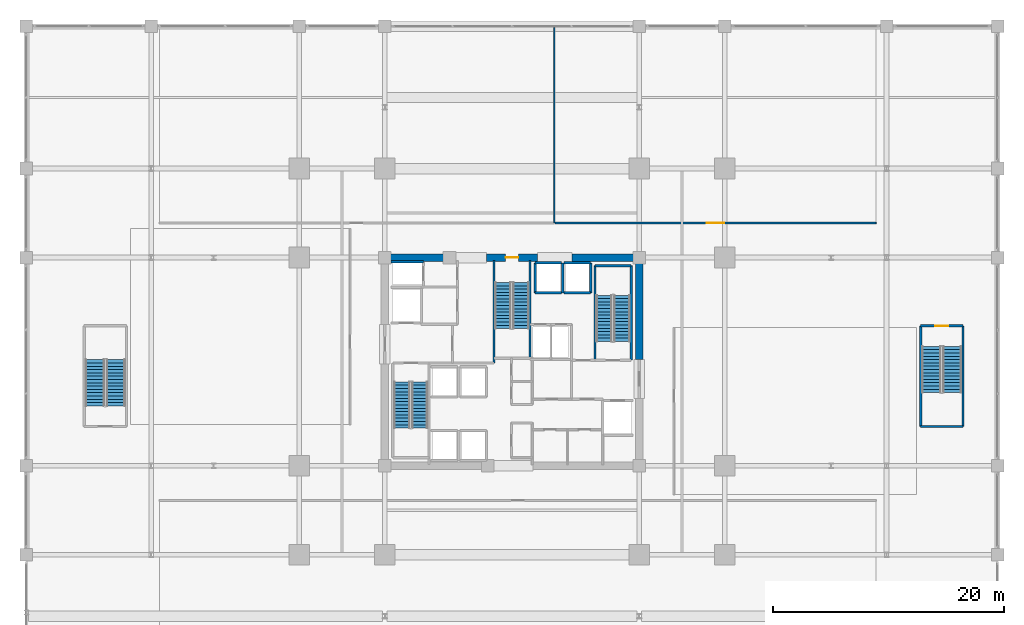
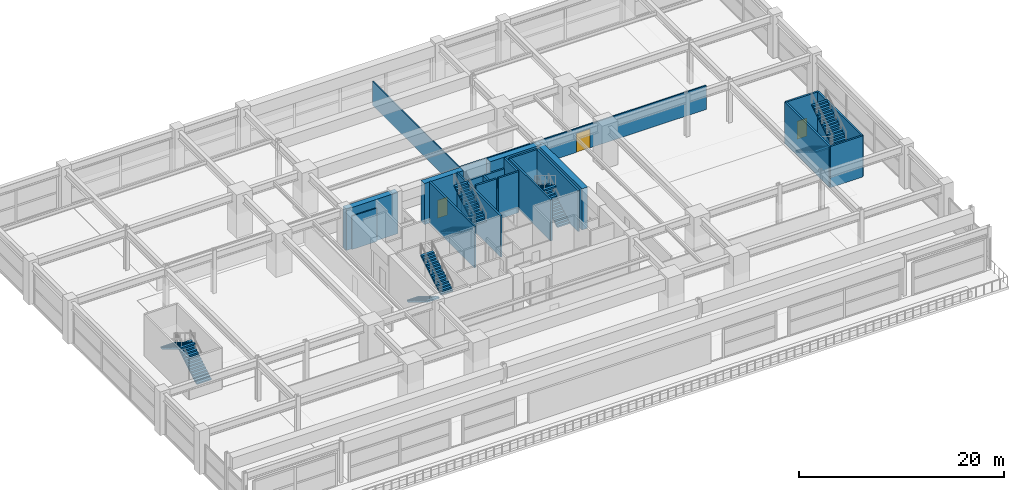
# One storey, part 38 of 45: 23 walls, 10 stair flights, 3 doors, 3 openings, 5 elements without a shape of their own.
"""IFC4 building model written with IfcOpenShell, lengths in metres."""

from ifc_helpers import new_model, si_unit, direction, frame, frame_2d, origin, place, context, subcontext, project, spatial, polyline, rectangle, outline, extrude, material, layer, layer_set, type_object, element, fill, aggregate, save


model = new_model("IFC4")

# Units and contexts
model_context = context("Model", 3, precision=1e-05, world=origin(), true_north=direction((0.0, 1.0)))
body_context = subcontext(model_context, "Body", "Model", "MODEL_VIEW")
ifc_project = project(units=[si_unit("LENGTHUNIT", "METRE"), si_unit("AREAUNIT", "SQUARE_METRE"), si_unit("VOLUMEUNIT", "CUBIC_METRE"), si_unit("PLANEANGLEUNIT", "RADIAN"), si_unit("MASSUNIT", "GRAM", prefix="KILO")], contexts=[model_context])

# Site, building, storey
site_placement = place(None, origin())
site = spatial("IfcSite", under=ifc_project, at=site_placement, CompositionType="ELEMENT")
building_placement = place(site_placement, origin())
building = spatial("IfcBuilding", under=site, at=building_placement, Name="Kovane Verandah Tower", CompositionType="ELEMENT")
storey_placement = place(building_placement, frame((0.0, 0.0, 6.0)))
storey = spatial("IfcBuildingStorey", under=building, at=storey_placement, Name="L01", CompositionType="ELEMENT", Elevation=6.0)

# Wall, opening, door
ifc_material_1 = material(Name="Fire-Rated Gypsum Stud Partition", Category="gypsum")
ifc_layer_1 = layer(ifc_material_1, 0.14990234375)
ifc_layer_set_1 = layer_set([ifc_layer_1], Name="Fire-Rated Gypsum Stud Partition")
wall_type_1 = type_object("IfcWallType", Name="WL-COR-150", PredefinedType="PARTITIONING", material=ifc_layer_set_1)
wall_1_placement = place(storey_placement, frame((43.719970703125, 39.5, 0.0), z_axis=(0.0, 0.0, 1.0), x_axis=(1.0, 0.0, 0.0)))
wall_1 = element("IfcWall", 1, at=wall_1_placement, inside=storey, type_object=wall_type_1, Name="L01 Executive Seminar Auditorium Corridor Partition", PredefinedType="PARTITIONING", context=body_context, shape_type="SweptSolid", body=[
    extrude(rectangle(XDim=27.780029296875, YDim=0.14990234375, at=frame_2d((13.89013671875, 0.0))), origin(), (0.0, 0.0, 1.0), 2.85009765625),
])
opening_1_placement = place(wall_1_placement, frame((13.139892578125, 0.0, 0.0)))
opening_1 = element("IfcOpeningElement", 2, at=opening_1_placement, cuts=wall_1, Name="Opening DR-L01-021", PredefinedType="OPENING", context=body_context, shape_type="SweptSolid", body=[
    extrude(rectangle(XDim=1.5, YDim=2.25, at=frame_2d((0.75, 1.125))), frame((0.0, 0.074951171875, 0.0), z_axis=(0.0, -1.0, 0.0), x_axis=(1.0, 0.0, 0.0)), (0.0, 0.0, 1.0), 0.14990234375),
])
ifc_material_2 = material(Name="Glazed Timber Fire-Rated Double Door", Category="wood")
door_type_1 = type_object("IfcDoorType", Name="DR-CONF-1500", OperationType="DOUBLE_DOOR_SINGLE_SWING", PredefinedType="DOOR", material=ifc_material_2)
door_1_placement = place(opening_1_placement, origin())
door_1 = element("IfcDoor", 3, at=door_1_placement, inside=storey, type_object=door_type_1, Name="L01 Executive Seminar Auditorium Entrance Door", OperationType="DOUBLE_DOOR_SINGLE_SWING", OverallHeight=2.25, OverallWidth=1.5, PredefinedType="DOOR", context=body_context, shape_type="SweptSolid", body=[
    extrude(rectangle(XDim=1.5, YDim=2.25, at=frame_2d((0.75, 1.125))), frame((0.0, 0.02490234375, 0.0), z_axis=(0.0, -1.0, 0.0), x_axis=(1.0, 0.0, 0.0)), (0.0, 0.0, 1.0), 0.050048828125),
])
fill(opening_1, door_1)

# Wall
ifc_material_3 = material(Name="Concrete C80/95", Category="concrete")
ifc_layer_2 = layer(ifc_material_3, 0.64990234375)
ifc_layer_set_2 = layer_set([ifc_layer_2], Name="Concrete C80/95")
wall_type_2 = type_object("IfcWallType", Name="WL-CORE-650", PredefinedType="SHEAR", material=ifc_layer_set_2)
wall_2_placement = place(storey_placement, frame((29.0, 36.5, 0.0), z_axis=(0.0, 0.0, 1.0), x_axis=(1.0, 0.0, 0.0)))
element("IfcWall", 4, at=wall_2_placement, inside=storey, type_object=wall_type_2, Name="L01 Core Shear Wall CN-1", PredefinedType="SHEAR", context=body_context, shape_type="SweptSolid", body=[
    extrude(rectangle(XDim=5.800048828125, YDim=0.64990234375, at=frame_2d((2.89990234375, 0.0))), origin(), (0.0, 0.0, 1.0), 4.919921875),
])

# Wall, opening, door
wall_3_placement = place(storey_placement, frame((37.800048828125, 36.5, 0.0), z_axis=(0.0, 0.0, 1.0), x_axis=(1.0, 0.0, 0.0)))
wall_3 = element("IfcWall", 5, at=wall_3_placement, inside=storey, type_object=wall_type_2, Name="L01 Core Shear Wall CN-2", PredefinedType="SHEAR", context=body_context, shape_type="SweptSolid", body=[
    extrude(rectangle(XDim=4.39990234375, YDim=0.64990234375, at=frame_2d((2.199951171875, 0.0))), origin(), (0.0, 0.0, 1.0), 4.919921875),
])
opening_2_placement = place(wall_3_placement, frame((1.64990234375, 0.0, 0.0)))
opening_2 = element("IfcOpeningElement", 6, at=opening_2_placement, cuts=wall_3, Name="Opening DR-L01-009", PredefinedType="OPENING", context=body_context, shape_type="SweptSolid", body=[
    extrude(rectangle(XDim=1.10009765625, YDim=2.14990234375, at=frame_2d((0.550048828125, 1.074951171875))), frame((0.0, 0.324951171875, 0.0), z_axis=(0.0, -1.0, 0.0), x_axis=(1.0, 0.0, 0.0)), (0.0, 0.0, 1.0), 0.64990234375),
])
ifc_material_4 = material(Name="Fire-Rated Steel Exit Door", Category="steel")
door_type_2 = type_object("IfcDoorType", Name="DR-STAIR-1100", OperationType="SINGLE_SWING_LEFT", PredefinedType="DOOR", material=ifc_material_4)
door_2_placement = place(opening_2_placement, origin())
door_2 = element("IfcDoor", 7, at=door_2_placement, inside=storey, type_object=door_type_2, Name="L01 ST-03 Fire Exit Stair Door", OperationType="SINGLE_SWING_RIGHT", OverallHeight=2.14990234375, OverallWidth=1.10009765625, PredefinedType="DOOR", context=body_context, shape_type="SweptSolid", body=[
    extrude(rectangle(XDim=1.10009765625, YDim=2.14990234375, at=frame_2d((0.550048828125, 1.074951171875))), frame((0.0, 0.02490234375, 0.0), z_axis=(0.0, -1.0, 0.0), x_axis=(1.0, 0.0, 0.0)), (0.0, 0.0, 1.0), 0.050048828125),
])
fill(opening_2, door_2)

# Walls
wall_4_placement = place(storey_placement, frame((45.199951171875, 36.5, 0.0), z_axis=(0.0, 0.0, 1.0), x_axis=(1.0, 0.0, 0.0)))
element("IfcWall", 8, at=wall_4_placement, inside=storey, type_object=wall_type_2, Name="L01 Core Shear Wall CN-3", PredefinedType="SHEAR", context=body_context, shape_type="SweptSolid", body=[
    extrude(rectangle(XDim=5.800048828125, YDim=0.64990234375, at=frame_2d((2.89990234375, 0.0))), origin(), (0.0, 0.0, 1.0), 4.919921875),
])
wall_5_placement = place(storey_placement, frame((51.0, 27.699951171875, 0.0), z_axis=(0.0, 0.0, 1.0), x_axis=(0.0, 1.0, 0.0)))
element("IfcWall", 9, at=wall_5_placement, inside=storey, type_object=wall_type_2, Name="L01 Core Shear Wall CE-2", PredefinedType="SHEAR", context=body_context, shape_type="SweptSolid", body=[
    extrude(rectangle(XDim=8.800048828125, YDim=0.64990234375, at=frame_2d((4.39990234375, 0.0))), origin(), (0.0, 0.0, 1.0), 4.919921875),
])
ifc_material_5 = material(Name="Concrete C45/55 Lift Shaft Wall", Category="concrete")
ifc_layer_3 = layer(ifc_material_5, 0.199951171875)
ifc_layer_set_3 = layer_set([ifc_layer_3], Name="Concrete C45/55 Lift Shaft Wall")
wall_type_3 = type_object("IfcWallType", Name="WL-LIFT-200", PredefinedType="SOLIDWALL", material=ifc_layer_set_3)
wall_6_placement = place(storey_placement, frame((32.35009765625, 36.14990234375, 0.0), z_axis=(0.0, 0.0, 1.0), x_axis=(-1.0, 0.0, 0.0)))
element("IfcWall", 10, at=wall_6_placement, inside=storey, type_object=wall_type_3, Name="L01 Lift GL-01 N Shaft Wall", PredefinedType="SOLIDWALL", context=body_context, shape_type="SweptSolid", body=[
    extrude(rectangle(XDim=2.800048828125, YDim=0.199951171875, at=frame_2d((1.39990234375, 0.0))), origin(), (0.0, 0.0, 1.0), 3.97900390625),
])
wall_7_placement = place(storey_placement, frame((42.0, 33.449951171875, 0.0), z_axis=(0.0, 0.0, 1.0), x_axis=(1.0, 0.0, 0.0)))
element("IfcWall", 11, at=wall_7_placement, inside=storey, type_object=wall_type_3, Name="L01 Lift SL-01 S Shaft Wall", PredefinedType="SOLIDWALL", context=body_context, shape_type="SweptSolid", body=[
    extrude(rectangle(XDim=2.300048828125, YDim=0.199951171875, at=frame_2d((1.14990234375, 0.0))), origin(), (0.0, 0.0, 1.0), 4.919921875),
])
wall_8_placement = place(storey_placement, frame((44.300048828125, 36.050048828125, 0.0), z_axis=(0.0, 0.0, 1.0), x_axis=(-1.0, 0.0, 0.0)))
element("IfcWall", 12, at=wall_8_placement, inside=storey, type_object=wall_type_3, Name="L01 Lift SL-01 N Shaft Wall", PredefinedType="SOLIDWALL", context=body_context, shape_type="SweptSolid", body=[
    extrude(rectangle(XDim=2.300048828125, YDim=0.199951171875, at=frame_2d((1.14990234375, 0.0))), origin(), (0.0, 0.0, 1.0), 3.699951171875),
])
for number, where, z_axis, x_axis, name in (
    (13, (42.0, 36.050048828125, 0.0), (0.0, 0.0, 1.0), (0.0, -1.0, 0.0), "L01 Lift SL-01 W Shaft Wall"),
    (14, (44.39990234375, 33.449951171875, 0.0), (0.0, 0.0, 1.0), (0.0, 1.0, 0.0), "L01 Lift OL-01 and SL-01 Shared Shaft Wall"),
):
    element("IfcWall", number, at=place(storey_placement, frame(where, z_axis=z_axis, x_axis=x_axis)), inside=storey, type_object=wall_type_3, Name=name, PredefinedType="SOLIDWALL", context=body_context, shape_type="SweptSolid", body=[
        extrude(rectangle(XDim=2.60009765625, YDim=0.199951171875, at=frame_2d((1.300048828125, 0.0))), origin(), (0.0, 0.0, 1.0), 3.699951171875),
    ])
wall_9_placement = place(storey_placement, frame((44.5, 33.449951171875, 0.0), z_axis=(0.0, 0.0, 1.0), x_axis=(1.0, 0.0, 0.0)))
element("IfcWall", 15, at=wall_9_placement, inside=storey, type_object=wall_type_3, Name="L01 Lift OL-01 S Shaft Wall", PredefinedType="SOLIDWALL", context=body_context, shape_type="SweptSolid", body=[
    extrude(rectangle(XDim=2.300048828125, YDim=0.199951171875, at=frame_2d((1.14990234375, 0.0))), origin(), (0.0, 0.0, 1.0), 4.919921875),
])
wall_10_placement = place(storey_placement, frame((46.800048828125, 36.050048828125, 0.0), z_axis=(0.0, 0.0, 1.0), x_axis=(-1.0, 0.0, 0.0)))
element("IfcWall", 16, at=wall_10_placement, inside=storey, type_object=wall_type_3, Name="L01 Lift OL-01 N Shaft Wall", PredefinedType="SOLIDWALL", context=body_context, shape_type="SweptSolid", body=[
    extrude(rectangle(XDim=2.300048828125, YDim=0.199951171875, at=frame_2d((1.14990234375, 0.0))), origin(), (0.0, 0.0, 1.0), 3.699951171875),
])
wall_11_placement = place(storey_placement, frame((46.800048828125, 33.449951171875, 0.0), z_axis=(0.0, 0.0, 1.0), x_axis=(0.0, 1.0, 0.0)))
element("IfcWall", 17, at=wall_11_placement, inside=storey, type_object=wall_type_3, Name="L01 Lift OL-01 E Shaft Wall", PredefinedType="SOLIDWALL", context=body_context, shape_type="SweptSolid", body=[
    extrude(rectangle(XDim=2.60009765625, YDim=0.199951171875, at=frame_2d((1.300048828125, 0.0))), origin(), (0.0, 0.0, 1.0), 4.919921875),
])
ifc_material_6 = material(Name="Acoustic Fire-Rated Gypsum Partition", Category="gypsum")
ifc_layer_4 = layer(ifc_material_6, 0.1201171875)
ifc_layer_set_4 = layer_set([ifc_layer_4], Name="Acoustic Fire-Rated Gypsum Partition")
wall_type_4 = type_object("IfcWallType", Name="WL-PART-120", PredefinedType="PARTITIONING", material=ifc_layer_set_4)
wall_12_placement = place(storey_placement, frame((43.64990234375, 39.5, 0.0), z_axis=(0.0, 0.0, 1.0), x_axis=(0.0, 1.0, 0.0)))
element("IfcWall", 18, at=wall_12_placement, inside=storey, type_object=wall_type_4, Name="L01 North Banking Hall Dividing Partition", PredefinedType="PARTITIONING", context=body_context, shape_type="SweptSolid", body=[
    extrude(rectangle(XDim=16.89990234375, YDim=0.1201171875, at=frame_2d((8.449951171875, 0.0))), origin(), (0.0, 0.0, 1.0), 2.85009765625),
])
ifc_material_7 = material(Name="Concrete C45/55", Category="concrete")
ifc_layer_5 = layer(ifc_material_7, 0.199951171875)
ifc_layer_set_5 = layer_set([ifc_layer_5], Name="Concrete C45/55")
wall_type_5 = type_object("IfcWallType", Name="WL-SHAFT-200", PredefinedType="SOLIDWALL", material=ifc_layer_set_5)
wall_13_placement = place(storey_placement, frame((50.300048828125, 27.64990234375, 0.0), z_axis=(0.0, 0.0, 1.0), x_axis=(0.0, 1.0, 0.0)))
element("IfcWall", 19, at=wall_13_placement, inside=storey, type_object=wall_type_5, Name="W-L01-ST02-E", PredefinedType="SOLIDWALL", context=body_context, shape_type="SweptSolid", body=[
    extrude(rectangle(XDim=8.150146484375, YDim=0.199951171875, at=frame_2d((4.0751953125, 0.0))), origin(), (0.0, 0.0, 1.0), 4.919921875),
])
wall_14_placement = place(storey_placement, frame((47.179931640625, 35.800048828125, 0.0), z_axis=(0.0, 0.0, 1.0), x_axis=(1.0, 0.0, 0.0)))
element("IfcWall", 20, at=wall_14_placement, inside=storey, type_object=wall_type_5, Name="W-L01-ST02-N", PredefinedType="SOLIDWALL", context=body_context, shape_type="SweptSolid", body=[
    extrude(rectangle(XDim=3.1201171875, YDim=0.199951171875, at=frame_2d((1.56005859375, 0.0))), origin(), (0.0, 0.0, 1.0), 4.919921875),
])
wall_15_placement = place(storey_placement, frame((47.179931640625, 27.6201171875, 0.0), z_axis=(0.0, 0.0, 1.0), x_axis=(0.0, 1.0, 0.0)))
element("IfcWall", 21, at=wall_15_placement, inside=storey, type_object=wall_type_5, Name="W-L01-ST02-W", PredefinedType="SOLIDWALL", context=body_context, shape_type="SweptSolid", body=[
    extrude(rectangle(XDim=8.179931640625, YDim=0.199951171875, at=frame_2d((4.08984375, 0.0))), origin(), (0.0, 0.0, 1.0), 4.919921875),
])
wall_16_placement = place(storey_placement, frame((38.43994140625, 27.3798828125, 0.0), z_axis=(0.0, 0.0, 1.0), x_axis=(0.0, 1.0, 0.0)))
element("IfcWall", 22, at=wall_16_placement, inside=storey, type_object=wall_type_5, Name="W-L01-ST03-W", PredefinedType="SOLIDWALL", context=body_context, shape_type="SweptSolid", body=[
    extrude(rectangle(XDim=8.8701171875, YDim=0.199951171875, at=frame_2d((4.43505859375, 0.0))), origin(), (0.0, 0.0, 1.0), 4.919921875),
])
wall_17_placement = place(storey_placement, frame((41.56005859375, 27.679931640625, 0.0), z_axis=(0.0, 0.0, 1.0), x_axis=(0.0, 1.0, 0.0)))
element("IfcWall", 23, at=wall_17_placement, inside=storey, type_object=wall_type_5, Name="W-L01-ST03-E", PredefinedType="SOLIDWALL", context=body_context, shape_type="SweptSolid", body=[
    extrude(rectangle(XDim=8.570068359375, YDim=0.199951171875, at=frame_2d((4.28515625, 0.0))), origin(), (0.0, 0.0, 1.0), 4.919921875),
])
for number, where, z_axis, x_axis, name in (
    (24, (75.340087890625, 21.89990234375, 0.0), (0.0, 0.0, 1.0), (0.0, 1.0, 0.0), "W-L01-ST-05-W"),
    (25, (79.0, 21.89990234375, 0.0), (0.0, 0.0, 1.0), (0.0, 1.0, 0.0), "W-L01-ST-05-E"),
):
    element("IfcWall", number, at=place(storey_placement, frame(where, z_axis=z_axis, x_axis=x_axis)), inside=storey, type_object=wall_type_5, Name=name, PredefinedType="SOLIDWALL", context=body_context, shape_type="SweptSolid", body=[
        extrude(rectangle(XDim=8.7001953125, YDim=0.199951171875, at=frame_2d((4.35009765625, 0.0))), origin(), (0.0, 0.0, 1.0), 4.919921875),
    ])

# Wall, opening, door
wall_18_placement = place(storey_placement, frame((75.340087890625, 30.60009765625, 0.0), z_axis=(0.0, 0.0, 1.0), x_axis=(1.0, 0.0, 0.0)))
wall_18 = element("IfcWall", 26, at=wall_18_placement, inside=storey, type_object=wall_type_5, Name="W-L01-ST-05-N", PredefinedType="SOLIDWALL", context=body_context, shape_type="SweptSolid", body=[
    extrude(rectangle(XDim=3.659912109375, YDim=0.199951171875, at=frame_2d((1.830078125, 0.0))), origin(), (0.0, 0.0, 1.0), 4.919921875),
])
opening_3_placement = place(wall_18_placement, frame((1.280029296875, 0.0, 0.0)))
opening_3 = element("IfcOpeningElement", 27, at=opening_3_placement, cuts=wall_18, Name="Opening DR-L01-011", PredefinedType="OPENING", context=body_context, shape_type="SweptSolid", body=[
    extrude(rectangle(XDim=1.10009765625, YDim=2.14990234375, at=frame_2d((0.550048828125, 1.074951171875))), frame((0.0, 0.10009765625, 0.0), z_axis=(0.0, -1.0, 0.0), x_axis=(1.0, 0.0, 0.0)), (0.0, 0.0, 1.0), 0.199951171875),
])
door_3_placement = place(opening_3_placement, origin())
door_3 = element("IfcDoor", 28, at=door_3_placement, inside=storey, type_object=door_type_2, Name="L01 ST-05 Fire Exit Stair Door", OperationType="SINGLE_SWING_RIGHT", OverallHeight=2.14990234375, OverallWidth=1.10009765625, PredefinedType="DOOR", context=body_context, shape_type="SweptSolid", body=[
    extrude(rectangle(XDim=1.10009765625, YDim=2.14990234375, at=frame_2d((0.550048828125, 1.074951171875))), frame((0.0, 0.02490234375, 0.0), z_axis=(0.0, -1.0, 0.0), x_axis=(1.0, 0.0, 0.0)), (0.0, 0.0, 1.0), 0.050048828125),
])
fill(opening_3, door_3)

# Wall
wall_19_placement = place(storey_placement, frame((75.340087890625, 21.89990234375, 0.0), z_axis=(0.0, 0.0, 1.0), x_axis=(1.0, 0.0, 0.0)))
element("IfcWall", 29, at=wall_19_placement, inside=storey, type_object=wall_type_5, Name="W-L01-ST-05-S", PredefinedType="SOLIDWALL", context=body_context, shape_type="SweptSolid", body=[
    extrude(rectangle(XDim=3.659912109375, YDim=0.199951171875, at=frame_2d((1.830078125, 0.0))), origin(), (0.0, 0.0, 1.0), 4.919921875),
])

# Stair, stair flights
stair_type = type_object("IfcStairType", Name="ST-CORE-1380", PredefinedType="HALF_TURN_STAIR", material=ifc_material_7)
stair_1_placement = place(storey_placement, origin())
stair_1 = element("IfcStair", 30, at=stair_1_placement, inside=storey, type_object=stair_type, Name="L01 Exit Stair ST-01", PredefinedType="HALF_TURN_STAIR")
stair_flight_type = type_object("IfcStairFlightType", Name="STF-CORE-1380", PredefinedType="STRAIGHT", material=ifc_material_7)
stair_flight_1_placement = place(storey_placement, frame((30.489990234375, 25.75, 0.0), z_axis=(0.0, 0.0, 1.0), x_axis=(0.0, -1.0, 0.0)))
stair_flight_1 = element("IfcStairFlight", 31, at=stair_flight_1_placement, type_object=stair_flight_type, Name="ST-01 flight 1", NumberOfRisers=15, NumberOfTreads=14, PredefinedType="STRAIGHT", RiserHeight=0.173333333, TreadLength=0.285, context=body_context, shape_type="SweptSolid", body=[
    extrude(outline(polyline([(0.0, 0.0), (0.0, 0.17333984375), (0.284912109375, 0.17333984375), (0.284912109375, 0.3466796875), (0.570068359375, 0.3466796875), (0.570068359375, 0.52001953125), (0.85498046875, 0.52001953125), (0.85498046875, 0.693359375), (1.139892578125, 0.693359375), (1.139892578125, 0.86669921875), (1.425048828125, 0.86669921875), (1.425048828125, 1.0400390625), (1.7099609375, 1.0400390625), (1.7099609375, 1.21337890625), (1.9951171875, 1.21337890625), (1.9951171875, 1.38671875), (2.280029296875, 1.38671875), (2.280029296875, 1.56005859375), (2.56494140625, 1.56005859375), (2.56494140625, 1.7333984375), (2.85009765625, 1.7333984375), (2.85009765625, 1.90673828125), (3.135009765625, 1.90673828125), (3.135009765625, 2.080078125), (3.419921875, 2.080078125), (3.419921875, 2.25341796875), (3.705078125, 2.25341796875), (3.705078125, 2.4267578125), (3.989990234375, 2.4267578125), (3.989990234375, 2.60009765625), (3.989990234375, 2.251220703125), (0.28857421875, 0.0), (0.0, 0.0)])), frame((0.0, 0.68994140625, 0.0), z_axis=(0.0, -1.0, 0.0), x_axis=(1.0, 0.0, 0.0)), (0.0, 0.0, 1.0), 1.3798828125),
])
stair_flight_2_placement = place(storey_placement, frame((32.030029296875, 21.760009765625, 2.60009765625), z_axis=(0.0, 0.0, 1.0), x_axis=(0.0, 1.0, 0.0)))
stair_flight_2 = element("IfcStairFlight", 32, at=stair_flight_2_placement, type_object=stair_flight_type, Name="ST-01 flight 2", NumberOfRisers=15, NumberOfTreads=14, PredefinedType="STRAIGHT", RiserHeight=0.173333333, TreadLength=0.285, context=body_context, shape_type="SweptSolid", body=[
    extrude(outline(polyline([(0.0, 0.0), (0.0, 0.17333984375), (0.284912109375, 0.17333984375), (0.284912109375, 0.3466796875), (0.570068359375, 0.3466796875), (0.570068359375, 0.52001953125), (0.85498046875, 0.52001953125), (0.85498046875, 0.693359375), (1.139892578125, 0.693359375), (1.139892578125, 0.86669921875), (1.425048828125, 0.86669921875), (1.425048828125, 1.0400390625), (1.7099609375, 1.0400390625), (1.7099609375, 1.21337890625), (1.9951171875, 1.21337890625), (1.9951171875, 1.38671875), (2.280029296875, 1.38671875), (2.280029296875, 1.56005859375), (2.56494140625, 1.56005859375), (2.56494140625, 1.7333984375), (2.85009765625, 1.7333984375), (2.85009765625, 1.90673828125), (3.135009765625, 1.90673828125), (3.135009765625, 2.080078125), (3.419921875, 2.080078125), (3.419921875, 2.25341796875), (3.705078125, 2.25341796875), (3.705078125, 2.4267578125), (3.989990234375, 2.4267578125), (3.989990234375, 2.60009765625), (3.989990234375, 2.251220703125), (0.28857421875, 0.0), (0.0, 0.0)])), frame((0.0, 0.68994140625, 0.0), z_axis=(0.0, -1.0, 0.0), x_axis=(1.0, 0.0, 0.0)), (0.0, 0.0, 1.0), 1.3798828125),
])
aggregate(stair_1, [stair_flight_1, stair_flight_2])

stair_2_placement = place(storey_placement, origin())
stair_2 = element("IfcStair", 33, at=stair_2_placement, inside=storey, type_object=stair_type, Name="L01 Exit Stair ST-02", PredefinedType="HALF_TURN_STAIR")
stair_flight_3_placement = place(storey_placement, frame((49.510009765625, 29.25, 0.0), z_axis=(0.0, 0.0, 1.0), x_axis=(0.0, 1.0, 0.0)))
stair_flight_3 = element("IfcStairFlight", 34, at=stair_flight_3_placement, type_object=stair_flight_type, Name="ST-02 flight 1", NumberOfRisers=15, NumberOfTreads=14, PredefinedType="STRAIGHT", RiserHeight=0.173333333, TreadLength=0.285, context=body_context, shape_type="SweptSolid", body=[
    extrude(outline(polyline([(0.0, 0.0), (0.0, 0.17333984375), (0.284912109375, 0.17333984375), (0.284912109375, 0.3466796875), (0.570068359375, 0.3466796875), (0.570068359375, 0.52001953125), (0.85498046875, 0.52001953125), (0.85498046875, 0.693359375), (1.139892578125, 0.693359375), (1.139892578125, 0.86669921875), (1.425048828125, 0.86669921875), (1.425048828125, 1.0400390625), (1.7099609375, 1.0400390625), (1.7099609375, 1.21337890625), (1.9951171875, 1.21337890625), (1.9951171875, 1.38671875), (2.280029296875, 1.38671875), (2.280029296875, 1.56005859375), (2.56494140625, 1.56005859375), (2.56494140625, 1.7333984375), (2.85009765625, 1.7333984375), (2.85009765625, 1.90673828125), (3.135009765625, 1.90673828125), (3.135009765625, 2.080078125), (3.419921875, 2.080078125), (3.419921875, 2.25341796875), (3.705078125, 2.25341796875), (3.705078125, 2.4267578125), (3.989990234375, 2.4267578125), (3.989990234375, 2.60009765625), (3.989990234375, 2.251220703125), (0.28857421875, 0.0), (0.0, 0.0)])), frame((0.0, 0.68994140625, 0.0), z_axis=(0.0, -1.0, 0.0), x_axis=(1.0, 0.0, 0.0)), (0.0, 0.0, 1.0), 1.3798828125),
])
stair_flight_4_placement = place(storey_placement, frame((47.969970703125, 33.239990234375, 2.60009765625), z_axis=(0.0, 0.0, 1.0), x_axis=(0.0, -1.0, 0.0)))
stair_flight_4 = element("IfcStairFlight", 35, at=stair_flight_4_placement, type_object=stair_flight_type, Name="ST-02 flight 2", NumberOfRisers=15, NumberOfTreads=14, PredefinedType="STRAIGHT", RiserHeight=0.173333333, TreadLength=0.285, context=body_context, shape_type="SweptSolid", body=[
    extrude(outline(polyline([(0.0, 0.0), (0.0, 0.17333984375), (0.284912109375, 0.17333984375), (0.284912109375, 0.3466796875), (0.570068359375, 0.3466796875), (0.570068359375, 0.52001953125), (0.85498046875, 0.52001953125), (0.85498046875, 0.693359375), (1.139892578125, 0.693359375), (1.139892578125, 0.86669921875), (1.425048828125, 0.86669921875), (1.425048828125, 1.0400390625), (1.7099609375, 1.0400390625), (1.7099609375, 1.21337890625), (1.9951171875, 1.21337890625), (1.9951171875, 1.38671875), (2.280029296875, 1.38671875), (2.280029296875, 1.56005859375), (2.56494140625, 1.56005859375), (2.56494140625, 1.7333984375), (2.85009765625, 1.7333984375), (2.85009765625, 1.90673828125), (3.135009765625, 1.90673828125), (3.135009765625, 2.080078125), (3.419921875, 2.080078125), (3.419921875, 2.25341796875), (3.705078125, 2.25341796875), (3.705078125, 2.4267578125), (3.989990234375, 2.4267578125), (3.989990234375, 2.60009765625), (3.989990234375, 2.251220703125), (0.28857421875, 0.0), (0.0, 0.0)])), frame((0.0, 0.68994140625, 0.0), z_axis=(0.0, -1.0, 0.0), x_axis=(1.0, 0.0, 0.0)), (0.0, 0.0, 1.0), 1.3798828125),
])
aggregate(stair_2, [stair_flight_3, stair_flight_4])

stair_3_placement = place(storey_placement, origin())
stair_3 = element("IfcStair", 36, at=stair_3_placement, inside=storey, type_object=stair_type, Name="L01 Exit Stair ST-03", PredefinedType="HALF_TURN_STAIR")
stair_flight_5_placement = place(storey_placement, frame((39.22998046875, 34.35009765625, 0.0), z_axis=(0.0, 0.0, 1.0), x_axis=(0.0, -1.0, 0.0)))
stair_flight_5 = element("IfcStairFlight", 37, at=stair_flight_5_placement, type_object=stair_flight_type, Name="ST-03 flight 1", NumberOfRisers=15, NumberOfTreads=14, PredefinedType="STRAIGHT", RiserHeight=0.173333333, TreadLength=0.285, context=body_context, shape_type="SweptSolid", body=[
    extrude(outline(polyline([(0.0, 0.0), (0.0, 0.17333984375), (0.284912109375, 0.17333984375), (0.284912109375, 0.3466796875), (0.570068359375, 0.3466796875), (0.570068359375, 0.52001953125), (0.85498046875, 0.52001953125), (0.85498046875, 0.693359375), (1.139892578125, 0.693359375), (1.139892578125, 0.86669921875), (1.425048828125, 0.86669921875), (1.425048828125, 1.0400390625), (1.7099609375, 1.0400390625), (1.7099609375, 1.21337890625), (1.9951171875, 1.21337890625), (1.9951171875, 1.38671875), (2.280029296875, 1.38671875), (2.280029296875, 1.56005859375), (2.56494140625, 1.56005859375), (2.56494140625, 1.7333984375), (2.85009765625, 1.7333984375), (2.85009765625, 1.90673828125), (3.135009765625, 1.90673828125), (3.135009765625, 2.080078125), (3.419921875, 2.080078125), (3.419921875, 2.25341796875), (3.705078125, 2.25341796875), (3.705078125, 2.4267578125), (3.989990234375, 2.4267578125), (3.989990234375, 2.60009765625), (3.989990234375, 2.251220703125), (0.28857421875, 0.0), (0.0, 0.0)])), frame((0.0, 0.68994140625, 0.0), z_axis=(0.0, -1.0, 0.0), x_axis=(1.0, 0.0, 0.0)), (0.0, 0.0, 1.0), 1.3798828125),
])
stair_flight_6_placement = place(storey_placement, frame((40.77001953125, 30.360107421875, 2.60009765625), z_axis=(0.0, 0.0, 1.0), x_axis=(0.0, 1.0, 0.0)))
stair_flight_6 = element("IfcStairFlight", 38, at=stair_flight_6_placement, type_object=stair_flight_type, Name="ST-03 flight 2", NumberOfRisers=15, NumberOfTreads=14, PredefinedType="STRAIGHT", RiserHeight=0.173333333, TreadLength=0.285, context=body_context, shape_type="SweptSolid", body=[
    extrude(outline(polyline([(0.0, 0.0), (0.0, 0.17333984375), (0.284912109375, 0.17333984375), (0.284912109375, 0.3466796875), (0.570068359375, 0.3466796875), (0.570068359375, 0.52001953125), (0.85498046875, 0.52001953125), (0.85498046875, 0.693359375), (1.139892578125, 0.693359375), (1.139892578125, 0.86669921875), (1.425048828125, 0.86669921875), (1.425048828125, 1.0400390625), (1.7099609375, 1.0400390625), (1.7099609375, 1.21337890625), (1.9951171875, 1.21337890625), (1.9951171875, 1.38671875), (2.280029296875, 1.38671875), (2.280029296875, 1.56005859375), (2.56494140625, 1.56005859375), (2.56494140625, 1.7333984375), (2.85009765625, 1.7333984375), (2.85009765625, 1.90673828125), (3.135009765625, 1.90673828125), (3.135009765625, 2.080078125), (3.419921875, 2.080078125), (3.419921875, 2.25341796875), (3.705078125, 2.25341796875), (3.705078125, 2.4267578125), (3.989990234375, 2.4267578125), (3.989990234375, 2.60009765625), (3.989990234375, 2.251220703125), (0.28857421875, 0.0), (0.0, 0.0)])), frame((0.0, 0.68994140625, 0.0), z_axis=(0.0, -1.0, 0.0), x_axis=(1.0, 0.0, 0.0)), (0.0, 0.0, 1.0), 1.3798828125),
])
aggregate(stair_3, [stair_flight_5, stair_flight_6])

stair_4_placement = place(storey_placement, origin())
stair_4 = element("IfcStair", 39, at=stair_4_placement, inside=storey, type_object=stair_type, Name="L01 Exit Stair ST-04", PredefinedType="HALF_TURN_STAIR")
stair_flight_7_placement = place(storey_placement, frame((5.735107421875, 23.679931640625, 0.0), z_axis=(0.0, 0.0, 1.0), x_axis=(0.0, 1.0, 0.0)))
stair_flight_7 = element("IfcStairFlight", 40, at=stair_flight_7_placement, type_object=stair_flight_type, Name="ST-04 flight 1", NumberOfRisers=15, NumberOfTreads=14, PredefinedType="STRAIGHT", RiserHeight=0.173333333, TreadLength=0.285, context=body_context, shape_type="SweptSolid", body=[
    extrude(outline(polyline([(0.0, 0.0), (0.0, 0.17333984375), (0.284912109375, 0.17333984375), (0.284912109375, 0.3466796875), (0.570068359375, 0.3466796875), (0.570068359375, 0.52001953125), (0.85498046875, 0.52001953125), (0.85498046875, 0.693359375), (1.139892578125, 0.693359375), (1.139892578125, 0.86669921875), (1.425048828125, 0.86669921875), (1.425048828125, 1.0400390625), (1.7099609375, 1.0400390625), (1.7099609375, 1.21337890625), (1.9951171875, 1.21337890625), (1.9951171875, 1.38671875), (2.280029296875, 1.38671875), (2.280029296875, 1.56005859375), (2.56494140625, 1.56005859375), (2.56494140625, 1.7333984375), (2.85009765625, 1.7333984375), (2.85009765625, 1.90673828125), (3.135009765625, 1.90673828125), (3.135009765625, 2.080078125), (3.419921875, 2.080078125), (3.419921875, 2.25341796875), (3.705078125, 2.25341796875), (3.705078125, 2.4267578125), (3.989990234375, 2.4267578125), (3.989990234375, 2.60009765625), (3.989990234375, 2.251220703125), (0.28857421875, 0.0), (0.0, 0.0)])), frame((0.0, 0.824951171875, 0.0), z_axis=(0.0, -1.0, 0.0), x_axis=(1.0, 0.0, 0.0)), (0.0, 0.0, 1.0), 1.64990234375),
])
stair_flight_8_placement = place(storey_placement, frame((3.925048828125, 27.669921875, 2.60009765625), z_axis=(0.0, 0.0, 1.0), x_axis=(0.0, -1.0, 0.0)))
stair_flight_8 = element("IfcStairFlight", 41, at=stair_flight_8_placement, type_object=stair_flight_type, Name="ST-04 flight 2", NumberOfRisers=15, NumberOfTreads=14, PredefinedType="STRAIGHT", RiserHeight=0.173333333, TreadLength=0.285, context=body_context, shape_type="SweptSolid", body=[
    extrude(outline(polyline([(0.0, 0.0), (0.0, 0.17333984375), (0.284912109375, 0.17333984375), (0.284912109375, 0.3466796875), (0.570068359375, 0.3466796875), (0.570068359375, 0.52001953125), (0.85498046875, 0.52001953125), (0.85498046875, 0.693359375), (1.139892578125, 0.693359375), (1.139892578125, 0.86669921875), (1.425048828125, 0.86669921875), (1.425048828125, 1.0400390625), (1.7099609375, 1.0400390625), (1.7099609375, 1.21337890625), (1.9951171875, 1.21337890625), (1.9951171875, 1.38671875), (2.280029296875, 1.38671875), (2.280029296875, 1.56005859375), (2.56494140625, 1.56005859375), (2.56494140625, 1.7333984375), (2.85009765625, 1.7333984375), (2.85009765625, 1.90673828125), (3.135009765625, 1.90673828125), (3.135009765625, 2.080078125), (3.419921875, 2.080078125), (3.419921875, 2.25341796875), (3.705078125, 2.25341796875), (3.705078125, 2.4267578125), (3.989990234375, 2.4267578125), (3.989990234375, 2.60009765625), (3.989990234375, 2.251220703125), (0.28857421875, 0.0), (0.0, 0.0)])), frame((0.0, 0.824951171875, 0.0), z_axis=(0.0, -1.0, 0.0), x_axis=(1.0, 0.0, 0.0)), (0.0, 0.0, 1.0), 1.64990234375),
])
aggregate(stair_4, [stair_flight_7, stair_flight_8])

stair_5_placement = place(storey_placement, origin())
stair_5 = element("IfcStair", 42, at=stair_5_placement, inside=storey, type_object=stair_type, Name="L01 Exit Stair ST-05", PredefinedType="HALF_TURN_STAIR")
stair_flight_9_placement = place(storey_placement, frame((76.264892578125, 28.820068359375, 0.0), z_axis=(0.0, 0.0, 1.0), x_axis=(0.0, -1.0, 0.0)))
stair_flight_9 = element("IfcStairFlight", 43, at=stair_flight_9_placement, type_object=stair_flight_type, Name="ST-05 flight 1", NumberOfRisers=15, NumberOfTreads=14, PredefinedType="STRAIGHT", RiserHeight=0.173333333, TreadLength=0.285, context=body_context, shape_type="SweptSolid", body=[
    extrude(outline(polyline([(0.0, 0.0), (0.0, 0.17333984375), (0.284912109375, 0.17333984375), (0.284912109375, 0.3466796875), (0.570068359375, 0.3466796875), (0.570068359375, 0.52001953125), (0.85498046875, 0.52001953125), (0.85498046875, 0.693359375), (1.139892578125, 0.693359375), (1.139892578125, 0.86669921875), (1.425048828125, 0.86669921875), (1.425048828125, 1.0400390625), (1.7099609375, 1.0400390625), (1.7099609375, 1.21337890625), (1.9951171875, 1.21337890625), (1.9951171875, 1.38671875), (2.280029296875, 1.38671875), (2.280029296875, 1.56005859375), (2.56494140625, 1.56005859375), (2.56494140625, 1.7333984375), (2.85009765625, 1.7333984375), (2.85009765625, 1.90673828125), (3.135009765625, 1.90673828125), (3.135009765625, 2.080078125), (3.419921875, 2.080078125), (3.419921875, 2.25341796875), (3.705078125, 2.25341796875), (3.705078125, 2.4267578125), (3.989990234375, 2.4267578125), (3.989990234375, 2.60009765625), (3.989990234375, 2.251220703125), (0.28857421875, 0.0), (0.0, 0.0)])), frame((0.0, 0.824951171875, 0.0), z_axis=(0.0, -1.0, 0.0), x_axis=(1.0, 0.0, 0.0)), (0.0, 0.0, 1.0), 1.64990234375),
])
stair_flight_10_placement = place(storey_placement, frame((78.074951171875, 24.830078125, 2.60009765625), z_axis=(0.0, 0.0, 1.0), x_axis=(0.0, 1.0, 0.0)))
stair_flight_10 = element("IfcStairFlight", 44, at=stair_flight_10_placement, type_object=stair_flight_type, Name="ST-05 flight 2", NumberOfRisers=15, NumberOfTreads=14, PredefinedType="STRAIGHT", RiserHeight=0.173333333, TreadLength=0.285, context=body_context, shape_type="SweptSolid", body=[
    extrude(outline(polyline([(0.0, 0.0), (0.0, 0.17333984375), (0.284912109375, 0.17333984375), (0.284912109375, 0.3466796875), (0.570068359375, 0.3466796875), (0.570068359375, 0.52001953125), (0.85498046875, 0.52001953125), (0.85498046875, 0.693359375), (1.139892578125, 0.693359375), (1.139892578125, 0.86669921875), (1.425048828125, 0.86669921875), (1.425048828125, 1.0400390625), (1.7099609375, 1.0400390625), (1.7099609375, 1.21337890625), (1.9951171875, 1.21337890625), (1.9951171875, 1.38671875), (2.280029296875, 1.38671875), (2.280029296875, 1.56005859375), (2.56494140625, 1.56005859375), (2.56494140625, 1.7333984375), (2.85009765625, 1.7333984375), (2.85009765625, 1.90673828125), (3.135009765625, 1.90673828125), (3.135009765625, 2.080078125), (3.419921875, 2.080078125), (3.419921875, 2.25341796875), (3.705078125, 2.25341796875), (3.705078125, 2.4267578125), (3.989990234375, 2.4267578125), (3.989990234375, 2.60009765625), (3.989990234375, 2.251220703125), (0.28857421875, 0.0), (0.0, 0.0)])), frame((0.0, 0.824951171875, 0.0), z_axis=(0.0, -1.0, 0.0), x_axis=(1.0, 0.0, 0.0)), (0.0, 0.0, 1.0), 1.64990234375),
])
aggregate(stair_5, [stair_flight_9, stair_flight_10])

save(model, "model.ifc")
